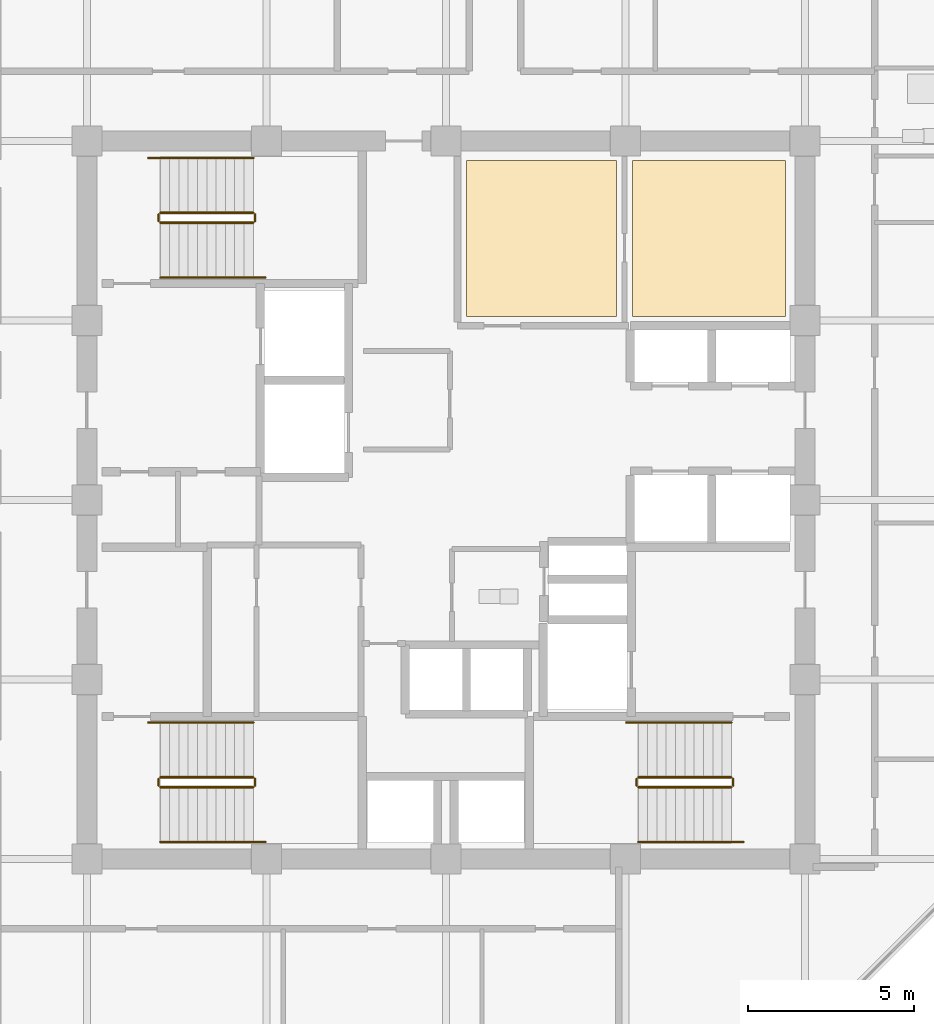
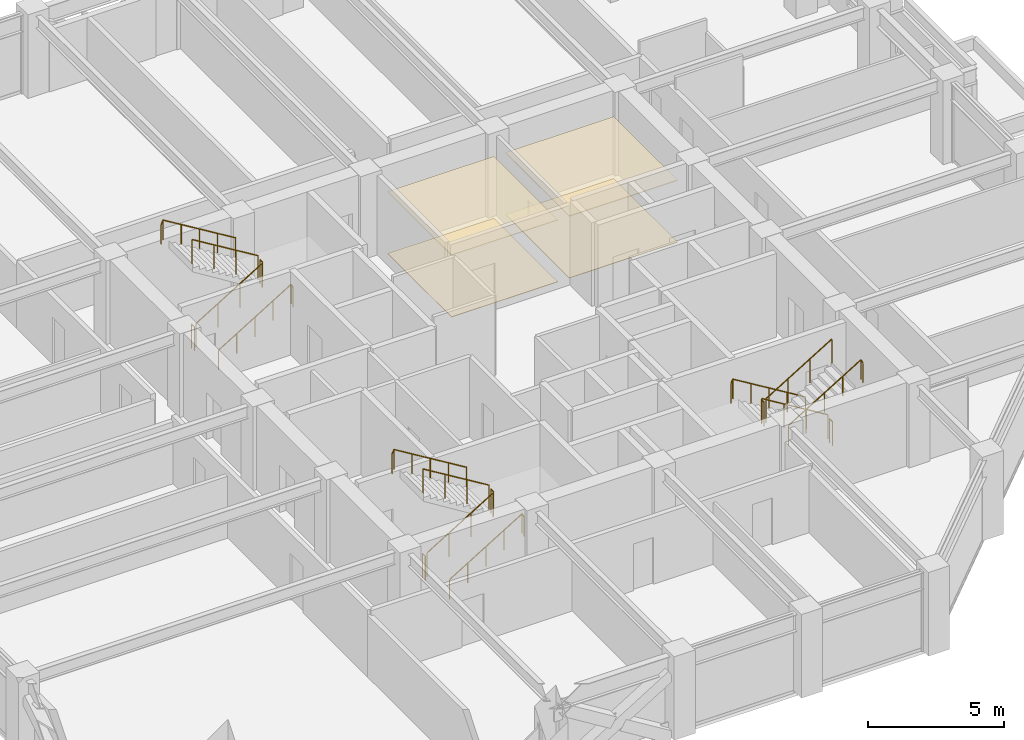
# One storey, part 26 of 28: 18 railings, 4 coverings.
"""IFC4 building model written with IfcOpenShell, lengths in metres."""

from ifc_helpers import new_model, si_unit, direction, frame, origin, origin_2d, place, context, subcontext, project, spatial, polyline, circle, outline, extrude, material, layer, layer_set, type_object, element, save


model = new_model("IFC4")

# Units and contexts
model_context = context("Model", 3, precision=1e-05, world=origin(), true_north=direction((0.0, 1.0)))
body_context = subcontext(model_context, "Body", "Model", "MODEL_VIEW")
ifc_project = project(units=[si_unit("LENGTHUNIT", "METRE"), si_unit("AREAUNIT", "SQUARE_METRE"), si_unit("VOLUMEUNIT", "CUBIC_METRE"), si_unit("PLANEANGLEUNIT", "RADIAN"), si_unit("MASSUNIT", "GRAM", prefix="KILO")], contexts=[model_context])

# Site, building, storey
site_placement = place(None, origin())
site = spatial("IfcSite", under=ifc_project, at=site_placement, CompositionType="ELEMENT")
building_placement = place(site_placement, origin())
building = spatial("IfcBuilding", under=site, at=building_placement, Name="Surkhivell Harbour Commons", CompositionType="ELEMENT")
storey_placement = place(building_placement, frame((0.0, 0.0, 182.25)))
storey = spatial("IfcBuildingStorey", under=building, at=storey_placement, Name="L47", CompositionType="ELEMENT", Elevation=182.25)

# Coverings
ifc_material_1 = material(Name="Perforated acoustic mineral-fibre ceiling tile", Category="other")
ifc_layer_1 = layer(ifc_material_1, 0.02490234375)
ifc_layer_set_1 = layer_set([ifc_layer_1], Name="Perforated acoustic mineral-fibre ceiling tile")
covering_type_1 = type_object("IfcCoveringType", Name="COV-CEIL-AC", PredefinedType="CEILING", material=ifc_layer_set_1)
covering_1_placement = place(storey_placement, frame((0.0, 0.0, 2.77490234375)))
element("IfcCovering", 1, at=covering_1_placement, inside=storey, type_object=covering_type_1, Name="L47 Suspended Acoustic Ceiling 1", PredefinedType="CEILING", context=body_context, shape_type="SweptSolid", body=[
    extrude(outline(polyline([(0.6201171875, 5.52001953125), (5.1298828125, 5.52001953125), (5.1298828125, 10.219970703125), (0.6201171875, 10.219970703125), (0.6201171875, 5.52001953125)])), origin(), (0.0, 0.0, 1.0), 0.025146484375),
])
ifc_material_2 = material(Name="Moisture-resistant gypsum acoustic ceiling board", Category="other")
ifc_layer_2 = layer(ifc_material_2, 0.030029296875)
ifc_layer_set_2 = layer_set([ifc_layer_2], Name="Moisture-resistant gypsum acoustic ceiling board")
covering_type_2 = type_object("IfcCoveringType", Name="COV-CEIL-GYP", PredefinedType="CEILING", material=ifc_layer_set_2)
covering_2_placement = place(storey_placement, frame((0.0, 0.0, 2.77001953125)))
element("IfcCovering", 2, at=covering_2_placement, inside=storey, type_object=covering_type_2, Name="L47 Suspended Acoustic Ceiling 2", PredefinedType="CEILING", context=body_context, shape_type="SweptSolid", body=[
    extrude(outline(polyline([(5.6201171875, 5.52001953125), (10.219970703125, 5.52001953125), (10.219970703125, 10.219970703125), (5.6201171875, 10.219970703125), (5.6201171875, 5.52001953125)])), origin(), (0.0, 0.0, 1.0), 0.030029296875),
])
ifc_material_3 = material(Name="Engineered acoustic oak timber flooring", Category="wood")
ifc_layer_3 = layer(ifc_material_3, 0.02001953125)
ifc_layer_set_3 = layer_set([ifc_layer_3], Name="Engineered acoustic oak timber flooring")
covering_type_3 = type_object("IfcCoveringType", Name="COV-FLR-TIM", PredefinedType="FLOORING", material=ifc_layer_set_3)
covering_3_placement = place(storey_placement, origin())
element("IfcCovering", 3, at=covering_3_placement, inside=storey, type_object=covering_type_3, Name="L47 Interior Floor Finish 1", PredefinedType="FLOORING", context=body_context, shape_type="SweptSolid", body=[
    extrude(outline(polyline([(0.6201171875, 5.52001953125), (5.1298828125, 5.52001953125), (5.1298828125, 10.219970703125), (0.6201171875, 10.219970703125), (0.6201171875, 5.52001953125)])), origin(), (0.0, 0.0, 1.0), 0.02001953125),
])
covering_4_placement = place(storey_placement, origin())
element("IfcCovering", 4, at=covering_4_placement, inside=storey, type_object=covering_type_3, Name="L47 Interior Floor Finish 2", PredefinedType="FLOORING", context=body_context, shape_type="SweptSolid", body=[
    extrude(outline(polyline([(5.6201171875, 5.52001953125), (10.219970703125, 5.52001953125), (10.219970703125, 10.219970703125), (5.6201171875, 10.219970703125), (5.6201171875, 5.52001953125)])), origin(), (0.0, 0.0, 1.0), 0.02001953125),
])

# Railings
ifc_material_4 = material(Name="Galvanised and painted steel S355 guard rail", Category="steel")
railing_type_1 = type_object("IfcRailingType", Name="RAL-ST-GRD1100", PredefinedType="GUARDRAIL", material=ifc_material_4)
railing_1_placement = place(storey_placement, frame((-8.590087890625, 8.340087890625, 0.17041015625)))
element("IfcRailing", 5, at=railing_1_placement, inside=storey, type_object=railing_type_1, Name="L47 ST1 stair guard 1", PredefinedType="GUARDRAIL", context=body_context, shape_type="SweptSolid", body=[
    extrude(circle(Radius=0.02392578125, at=origin_2d()), frame((0.0, 0.0, 1.076171875), z_axis=(0.854169791009, 0.0, 0.51999420009), x_axis=(0.0, 1.0, 0.0)), (0.0, 0.0, 1.0), 3.278076171875),
    extrude(circle(Radius=0.02099609375, at=origin_2d()), origin(), (0.0, 0.0, 1.0), 1.052001953125),
    extrude(circle(Radius=0.02099609375, at=origin_2d()), frame((0.933349609375, 0.0, 0.568115234375)), (0.0, 0.0, 1.0), 1.052001953125),
    extrude(circle(Radius=0.02099609375, at=origin_2d()), frame((1.86669921875, 0.0, 1.136474609375)), (0.0, 0.0, 1.0), 1.052001953125),
    extrude(circle(Radius=0.02099609375, at=origin_2d()), frame((2.800048828125, 0.0, 1.70458984375)), (0.0, 0.0, 1.0), 1.052001953125),
])
railing_2_placement = place(storey_placement, frame((-5.739990234375, 8.389892578125, 1.875)))
element("IfcRailing", 6, at=railing_2_placement, inside=storey, type_object=railing_type_1, Name="L47 ST1 stair guard 2", PredefinedType="GUARDRAIL", context=body_context, shape_type="SweptSolid", body=[
    extrude(circle(Radius=0.02392578125, at=origin_2d()), frame((0.0, 0.0, 1.076171875), z_axis=(0.0, 1.0, 0.0), x_axis=(-1.0, 0.0, 0.0)), (0.0, 0.0, 1.0), 0.2001953125),
    extrude(circle(Radius=0.02099609375, at=origin_2d()), origin(), (0.0, 0.0, 1.0), 1.052001953125),
    extrude(circle(Radius=0.02099609375, at=origin_2d()), frame((0.0, 0.2001953125, 0.0)), (0.0, 0.0, 1.0), 1.052001953125),
])
railing_3_placement = place(storey_placement, frame((-5.7900390625, 8.639892578125, 2.04541015625)))
element("IfcRailing", 7, at=railing_3_placement, inside=storey, type_object=railing_type_1, Name="L47 ST1 stair guard 3", PredefinedType="GUARDRAIL", context=body_context, shape_type="SweptSolid", body=[
    extrude(circle(Radius=0.02392578125, at=origin_2d()), frame((0.0, 0.0, 1.076171875), z_axis=(-0.854169791009, 0.0, 0.51999420009), x_axis=(0.0, -1.0, 0.0)), (0.0, 0.0, 1.0), 3.278076171875),
    extrude(circle(Radius=0.02099609375, at=origin_2d()), origin(), (0.0, 0.0, 1.0), 1.052001953125),
    extrude(circle(Radius=0.02099609375, at=origin_2d()), frame((-0.933349609375, 0.0, 0.568115234375)), (0.0, 0.0, 1.0), 1.052001953125),
    extrude(circle(Radius=0.02099609375, at=origin_2d()), frame((-1.86669921875, 0.0, 1.136474609375)), (0.0, 0.0, 1.0), 1.052001953125),
    extrude(circle(Radius=0.02099609375, at=origin_2d()), frame((-2.800048828125, 0.0, 1.70458984375)), (0.0, 0.0, 1.0), 1.052001953125),
])
railing_4_placement = place(storey_placement, frame((-8.639892578125, 8.389892578125, 0.0)))
element("IfcRailing", 8, at=railing_4_placement, inside=storey, type_object=railing_type_1, Name="L47 ST1 stair guard 4", PredefinedType="GUARDRAIL", context=body_context, shape_type="SweptSolid", body=[
    extrude(circle(Radius=0.02392578125, at=origin_2d()), frame((0.0, 0.0, 1.076171875), z_axis=(0.0, 1.0, 0.0), x_axis=(-1.0, 0.0, 0.0)), (0.0, 0.0, 1.0), 0.2001953125),
    extrude(circle(Radius=0.02099609375, at=origin_2d()), origin(), (0.0, 0.0, 1.0), 1.052001953125),
    extrude(circle(Radius=0.02099609375, at=origin_2d()), frame((0.0, 0.2001953125, 0.0)), (0.0, 0.0, 1.0), 1.052001953125),
])
railing_5_placement = place(storey_placement, frame((8.590087890625, -8.340087890625, 0.17041015625)))
element("IfcRailing", 9, at=railing_5_placement, inside=storey, type_object=railing_type_1, Name="L47 ST2 stair guard 1", PredefinedType="GUARDRAIL", context=body_context, shape_type="SweptSolid", body=[
    extrude(circle(Radius=0.02392578125, at=origin_2d()), frame((0.0, 0.0, 1.076171875), z_axis=(-0.854169791009, 0.0, 0.51999420009), x_axis=(0.0, -1.0, 0.0)), (0.0, 0.0, 1.0), 3.278076171875),
    extrude(circle(Radius=0.02099609375, at=origin_2d()), origin(), (0.0, 0.0, 1.0), 1.052001953125),
    extrude(circle(Radius=0.02099609375, at=origin_2d()), frame((-0.933349609375, 0.0, 0.568115234375)), (0.0, 0.0, 1.0), 1.052001953125),
    extrude(circle(Radius=0.02099609375, at=origin_2d()), frame((-1.86669921875, 0.0, 1.136474609375)), (0.0, 0.0, 1.0), 1.052001953125),
    extrude(circle(Radius=0.02099609375, at=origin_2d()), frame((-2.800048828125, 0.0, 1.70458984375)), (0.0, 0.0, 1.0), 1.052001953125),
])
railing_6_placement = place(storey_placement, frame((5.739990234375, -8.389892578125, 1.875)))
element("IfcRailing", 10, at=railing_6_placement, inside=storey, type_object=railing_type_1, Name="L47 ST2 stair guard 2", PredefinedType="GUARDRAIL", context=body_context, shape_type="SweptSolid", body=[
    extrude(circle(Radius=0.02392578125, at=origin_2d()), frame((0.0, 0.0, 1.076171875), z_axis=(0.0, -1.0, 0.0), x_axis=(1.0, 0.0, 0.0)), (0.0, 0.0, 1.0), 0.2001953125),
    extrude(circle(Radius=0.02099609375, at=origin_2d()), origin(), (0.0, 0.0, 1.0), 1.052001953125),
    extrude(circle(Radius=0.02099609375, at=origin_2d()), frame((0.0, -0.2001953125, 0.0)), (0.0, 0.0, 1.0), 1.052001953125),
])
railing_7_placement = place(storey_placement, frame((5.7900390625, -8.639892578125, 2.04541015625)))
element("IfcRailing", 11, at=railing_7_placement, inside=storey, type_object=railing_type_1, Name="L47 ST2 stair guard 3", PredefinedType="GUARDRAIL", context=body_context, shape_type="SweptSolid", body=[
    extrude(circle(Radius=0.02392578125, at=origin_2d()), frame((0.0, 0.0, 1.076171875), z_axis=(0.854169791009, 0.0, 0.51999420009), x_axis=(0.0, 1.0, 0.0)), (0.0, 0.0, 1.0), 3.278076171875),
    extrude(circle(Radius=0.02099609375, at=origin_2d()), origin(), (0.0, 0.0, 1.0), 1.052001953125),
    extrude(circle(Radius=0.02099609375, at=origin_2d()), frame((0.933349609375, 0.0, 0.568115234375)), (0.0, 0.0, 1.0), 1.052001953125),
    extrude(circle(Radius=0.02099609375, at=origin_2d()), frame((1.86669921875, 0.0, 1.136474609375)), (0.0, 0.0, 1.0), 1.052001953125),
    extrude(circle(Radius=0.02099609375, at=origin_2d()), frame((2.800048828125, 0.0, 1.70458984375)), (0.0, 0.0, 1.0), 1.052001953125),
])
railing_8_placement = place(storey_placement, frame((8.639892578125, -8.389892578125, 0.0)))
element("IfcRailing", 12, at=railing_8_placement, inside=storey, type_object=railing_type_1, Name="L47 ST2 stair guard 4", PredefinedType="GUARDRAIL", context=body_context, shape_type="SweptSolid", body=[
    extrude(circle(Radius=0.02392578125, at=origin_2d()), frame((0.0, 0.0, 1.076171875), z_axis=(0.0, -1.0, 0.0), x_axis=(1.0, 0.0, 0.0)), (0.0, 0.0, 1.0), 0.2001953125),
    extrude(circle(Radius=0.02099609375, at=origin_2d()), origin(), (0.0, 0.0, 1.0), 1.052001953125),
    extrude(circle(Radius=0.02099609375, at=origin_2d()), frame((0.0, -0.2001953125, 0.0)), (0.0, 0.0, 1.0), 1.052001953125),
])
railing_9_placement = place(storey_placement, frame((-8.590087890625, -8.639892578125, 0.17041015625)))
element("IfcRailing", 13, at=railing_9_placement, inside=storey, type_object=railing_type_1, Name="L47 ST3 stair guard 1", PredefinedType="GUARDRAIL", context=body_context, shape_type="SweptSolid", body=[
    extrude(circle(Radius=0.02392578125, at=origin_2d()), frame((0.0, 0.0, 1.076171875), z_axis=(0.854169791009, 0.0, 0.51999420009), x_axis=(0.0, 1.0, 0.0)), (0.0, 0.0, 1.0), 3.278076171875),
    extrude(circle(Radius=0.02099609375, at=origin_2d()), origin(), (0.0, 0.0, 1.0), 1.052001953125),
    extrude(circle(Radius=0.02099609375, at=origin_2d()), frame((0.933349609375, 0.0, 0.568115234375)), (0.0, 0.0, 1.0), 1.052001953125),
    extrude(circle(Radius=0.02099609375, at=origin_2d()), frame((1.86669921875, 0.0, 1.136474609375)), (0.0, 0.0, 1.0), 1.052001953125),
    extrude(circle(Radius=0.02099609375, at=origin_2d()), frame((2.800048828125, 0.0, 1.70458984375)), (0.0, 0.0, 1.0), 1.052001953125),
])
railing_10_placement = place(storey_placement, frame((-5.739990234375, -8.590087890625, 1.875)))
element("IfcRailing", 14, at=railing_10_placement, inside=storey, type_object=railing_type_1, Name="L47 ST3 stair guard 2", PredefinedType="GUARDRAIL", context=body_context, shape_type="SweptSolid", body=[
    extrude(circle(Radius=0.02392578125, at=origin_2d()), frame((0.0, 0.0, 1.076171875), z_axis=(0.0, 1.0, 0.0), x_axis=(-1.0, 0.0, 0.0)), (0.0, 0.0, 1.0), 0.2001953125),
    extrude(circle(Radius=0.02099609375, at=origin_2d()), origin(), (0.0, 0.0, 1.0), 1.052001953125),
    extrude(circle(Radius=0.02099609375, at=origin_2d()), frame((0.0, 0.2001953125, 0.0)), (0.0, 0.0, 1.0), 1.052001953125),
])
railing_11_placement = place(storey_placement, frame((-5.7900390625, -8.340087890625, 2.04541015625)))
element("IfcRailing", 15, at=railing_11_placement, inside=storey, type_object=railing_type_1, Name="L47 ST3 stair guard 3", PredefinedType="GUARDRAIL", context=body_context, shape_type="SweptSolid", body=[
    extrude(circle(Radius=0.02392578125, at=origin_2d()), frame((0.0, 0.0, 1.076171875), z_axis=(-0.854169791009, 0.0, 0.51999420009), x_axis=(0.0, -1.0, 0.0)), (0.0, 0.0, 1.0), 3.278076171875),
    extrude(circle(Radius=0.02099609375, at=origin_2d()), origin(), (0.0, 0.0, 1.0), 1.052001953125),
    extrude(circle(Radius=0.02099609375, at=origin_2d()), frame((-0.933349609375, 0.0, 0.568115234375)), (0.0, 0.0, 1.0), 1.052001953125),
    extrude(circle(Radius=0.02099609375, at=origin_2d()), frame((-1.86669921875, 0.0, 1.136474609375)), (0.0, 0.0, 1.0), 1.052001953125),
    extrude(circle(Radius=0.02099609375, at=origin_2d()), frame((-2.800048828125, 0.0, 1.70458984375)), (0.0, 0.0, 1.0), 1.052001953125),
])
railing_12_placement = place(storey_placement, frame((-8.639892578125, -8.590087890625, 0.0)))
element("IfcRailing", 16, at=railing_12_placement, inside=storey, type_object=railing_type_1, Name="L47 ST3 stair guard 4", PredefinedType="GUARDRAIL", context=body_context, shape_type="SweptSolid", body=[
    extrude(circle(Radius=0.02392578125, at=origin_2d()), frame((0.0, 0.0, 1.076171875), z_axis=(0.0, 1.0, 0.0), x_axis=(-1.0, 0.0, 0.0)), (0.0, 0.0, 1.0), 0.2001953125),
    extrude(circle(Radius=0.02099609375, at=origin_2d()), origin(), (0.0, 0.0, 1.0), 1.052001953125),
    extrude(circle(Radius=0.02099609375, at=origin_2d()), frame((0.0, 0.2001953125, 0.0)), (0.0, 0.0, 1.0), 1.052001953125),
])
ifc_material_5 = material(Name="Brushed stainless steel S355 handrail", Category="steel")
railing_type_2 = type_object("IfcRailingType", Name="RAL-ST-HND900", PredefinedType="HANDRAIL", material=ifc_material_5)
railing_13_placement = place(storey_placement, frame((-8.590087890625, 6.68994140625, 0.17041015625)))
element("IfcRailing", 17, at=railing_13_placement, inside=storey, type_object=railing_type_2, Name="L47 ST1 stair handrail 1", PredefinedType="HANDRAIL", context=body_context, shape_type="SweptSolid", body=[
    extrude(circle(Radius=0.02392578125, at=origin_2d()), frame((0.0, 0.0, 0.8759765625), z_axis=(0.854177636135, 0.0, 0.519981313056), x_axis=(0.0, 1.0, 0.0)), (0.0, 0.0, 1.0), 3.60595703125),
    extrude(circle(Radius=0.02392578125, at=origin_2d()), frame((3.080078125, 0.0, 2.7509765625), z_axis=(0.425297416671, 0.0, -0.905053648892), x_axis=(0.0, 1.0, 0.0)), (0.0, 0.0, 1.0), 0.188232421875),
    extrude(circle(Radius=0.02099609375, at=origin_2d()), origin(), (0.0, 0.0, 1.0), 0.851806640625),
    extrude(circle(Radius=0.02099609375, at=origin_2d()), frame((0.77001953125, 0.0, 0.46875)), (0.0, 0.0, 1.0), 0.851806640625),
    extrude(circle(Radius=0.02099609375, at=origin_2d()), frame((1.5400390625, 0.0, 0.9375)), (0.0, 0.0, 1.0), 0.851806640625),
    extrude(circle(Radius=0.02099609375, at=origin_2d()), frame((2.31005859375, 0.0, 1.40625)), (0.0, 0.0, 1.0), 0.851806640625),
    extrude(circle(Radius=0.02099609375, at=origin_2d()), frame((3.080078125, 0.0, 1.875)), (0.0, 0.0, 1.0), 0.851806640625),
    extrude(circle(Radius=0.02099609375, at=origin_2d()), frame((3.16015625, 0.0, 1.70458984375)), (0.0, 0.0, 1.0), 0.851806640625),
])
railing_14_placement = place(storey_placement, frame((-5.7900390625, 10.2900390625, 2.04541015625)))
element("IfcRailing", 18, at=railing_14_placement, inside=storey, type_object=railing_type_2, Name="L47 ST1 stair handrail 2", PredefinedType="HANDRAIL", context=body_context, shape_type="SweptSolid", body=[
    extrude(circle(Radius=0.02392578125, at=origin_2d()), frame((0.0, 0.0, 0.8759765625), z_axis=(-0.854177636135, 0.0, 0.519981313056), x_axis=(0.0, -1.0, 0.0)), (0.0, 0.0, 1.0), 3.60595703125),
    extrude(circle(Radius=0.02392578125, at=origin_2d()), frame((-3.080078125, 0.0, 2.7509765625), z_axis=(-0.424234432967, 0.0, -0.905552398199), x_axis=(0.0, -1.0, 0.0)), (0.0, 0.0, 1.0), 0.188232421875),
    extrude(circle(Radius=0.02099609375, at=origin_2d()), origin(), (0.0, 0.0, 1.0), 0.851806640625),
    extrude(circle(Radius=0.02099609375, at=origin_2d()), frame((-0.77001953125, 0.0, 0.46875)), (0.0, 0.0, 1.0), 0.851806640625),
    extrude(circle(Radius=0.02099609375, at=origin_2d()), frame((-1.5400390625, 0.0, 0.9375)), (0.0, 0.0, 1.0), 0.851806640625),
    extrude(circle(Radius=0.02099609375, at=origin_2d()), frame((-2.31005859375, 0.0, 1.40625)), (0.0, 0.0, 1.0), 0.851806640625),
    extrude(circle(Radius=0.02099609375, at=origin_2d()), frame((-3.080078125, 0.0, 1.875)), (0.0, 0.0, 1.0), 0.851806640625),
    extrude(circle(Radius=0.02099609375, at=origin_2d()), frame((-3.159912109375, 0.0, 1.70458984375)), (0.0, 0.0, 1.0), 0.851806640625),
])
railing_15_placement = place(storey_placement, frame((8.590087890625, -6.68994140625, 0.17041015625)))
element("IfcRailing", 19, at=railing_15_placement, inside=storey, type_object=railing_type_2, Name="L47 ST2 stair handrail 1", PredefinedType="HANDRAIL", context=body_context, shape_type="SweptSolid", body=[
    extrude(circle(Radius=0.02392578125, at=origin_2d()), frame((0.0, 0.0, 0.8759765625), z_axis=(-0.854177636135, 0.0, 0.519981313056), x_axis=(0.0, -1.0, 0.0)), (0.0, 0.0, 1.0), 3.60595703125),
    extrude(circle(Radius=0.02392578125, at=origin_2d()), frame((-3.080078125, 0.0, 2.7509765625), z_axis=(-0.425297416671, 0.0, -0.905053648892), x_axis=(0.0, -1.0, 0.0)), (0.0, 0.0, 1.0), 0.188232421875),
    extrude(circle(Radius=0.02099609375, at=origin_2d()), origin(), (0.0, 0.0, 1.0), 0.851806640625),
    extrude(circle(Radius=0.02099609375, at=origin_2d()), frame((-0.77001953125, 0.0, 0.46875)), (0.0, 0.0, 1.0), 0.851806640625),
    extrude(circle(Radius=0.02099609375, at=origin_2d()), frame((-1.5400390625, 0.0, 0.9375)), (0.0, 0.0, 1.0), 0.851806640625),
    extrude(circle(Radius=0.02099609375, at=origin_2d()), frame((-2.31005859375, 0.0, 1.40625)), (0.0, 0.0, 1.0), 0.851806640625),
    extrude(circle(Radius=0.02099609375, at=origin_2d()), frame((-3.080078125, 0.0, 1.875)), (0.0, 0.0, 1.0), 0.851806640625),
    extrude(circle(Radius=0.02099609375, at=origin_2d()), frame((-3.16015625, 0.0, 1.70458984375)), (0.0, 0.0, 1.0), 0.851806640625),
])
railing_16_placement = place(storey_placement, frame((5.7900390625, -10.2900390625, 2.04541015625)))
element("IfcRailing", 20, at=railing_16_placement, inside=storey, type_object=railing_type_2, Name="L47 ST2 stair handrail 2", PredefinedType="HANDRAIL", context=body_context, shape_type="SweptSolid", body=[
    extrude(circle(Radius=0.02392578125, at=origin_2d()), frame((0.0, 0.0, 0.8759765625), z_axis=(0.854177636135, 0.0, 0.519981313056), x_axis=(0.0, 1.0, 0.0)), (0.0, 0.0, 1.0), 3.60595703125),
    extrude(circle(Radius=0.02392578125, at=origin_2d()), frame((3.080078125, 0.0, 2.7509765625), z_axis=(0.424234432967, 0.0, -0.905552398199), x_axis=(0.0, 1.0, 0.0)), (0.0, 0.0, 1.0), 0.188232421875),
    extrude(circle(Radius=0.02099609375, at=origin_2d()), origin(), (0.0, 0.0, 1.0), 0.851806640625),
    extrude(circle(Radius=0.02099609375, at=origin_2d()), frame((0.77001953125, 0.0, 0.46875)), (0.0, 0.0, 1.0), 0.851806640625),
    extrude(circle(Radius=0.02099609375, at=origin_2d()), frame((1.5400390625, 0.0, 0.9375)), (0.0, 0.0, 1.0), 0.851806640625),
    extrude(circle(Radius=0.02099609375, at=origin_2d()), frame((2.31005859375, 0.0, 1.40625)), (0.0, 0.0, 1.0), 0.851806640625),
    extrude(circle(Radius=0.02099609375, at=origin_2d()), frame((3.080078125, 0.0, 1.875)), (0.0, 0.0, 1.0), 0.851806640625),
    extrude(circle(Radius=0.02099609375, at=origin_2d()), frame((3.159912109375, 0.0, 1.70458984375)), (0.0, 0.0, 1.0), 0.851806640625),
])
railing_17_placement = place(storey_placement, frame((-8.590087890625, -10.2900390625, 0.17041015625)))
element("IfcRailing", 21, at=railing_17_placement, inside=storey, type_object=railing_type_2, Name="L47 ST3 stair handrail 1", PredefinedType="HANDRAIL", context=body_context, shape_type="SweptSolid", body=[
    extrude(circle(Radius=0.02392578125, at=origin_2d()), frame((0.0, 0.0, 0.8759765625), z_axis=(0.854177636135, 0.0, 0.519981313056), x_axis=(0.0, 1.0, 0.0)), (0.0, 0.0, 1.0), 3.60595703125),
    extrude(circle(Radius=0.02392578125, at=origin_2d()), frame((3.080078125, 0.0, 2.7509765625), z_axis=(0.425297416671, 0.0, -0.905053648892), x_axis=(0.0, 1.0, 0.0)), (0.0, 0.0, 1.0), 0.188232421875),
    extrude(circle(Radius=0.02099609375, at=origin_2d()), origin(), (0.0, 0.0, 1.0), 0.851806640625),
    extrude(circle(Radius=0.02099609375, at=origin_2d()), frame((0.77001953125, 0.0, 0.46875)), (0.0, 0.0, 1.0), 0.851806640625),
    extrude(circle(Radius=0.02099609375, at=origin_2d()), frame((1.5400390625, 0.0, 0.9375)), (0.0, 0.0, 1.0), 0.851806640625),
    extrude(circle(Radius=0.02099609375, at=origin_2d()), frame((2.31005859375, 0.0, 1.40625)), (0.0, 0.0, 1.0), 0.851806640625),
    extrude(circle(Radius=0.02099609375, at=origin_2d()), frame((3.080078125, 0.0, 1.875)), (0.0, 0.0, 1.0), 0.851806640625),
    extrude(circle(Radius=0.02099609375, at=origin_2d()), frame((3.16015625, 0.0, 1.70458984375)), (0.0, 0.0, 1.0), 0.851806640625),
])
railing_18_placement = place(storey_placement, frame((-5.7900390625, -6.68994140625, 2.04541015625)))
element("IfcRailing", 22, at=railing_18_placement, inside=storey, type_object=railing_type_2, Name="L47 ST3 stair handrail 2", PredefinedType="HANDRAIL", context=body_context, shape_type="SweptSolid", body=[
    extrude(circle(Radius=0.02392578125, at=origin_2d()), frame((0.0, 0.0, 0.8759765625), z_axis=(-0.854177636135, 0.0, 0.519981313056), x_axis=(0.0, -1.0, 0.0)), (0.0, 0.0, 1.0), 3.60595703125),
    extrude(circle(Radius=0.02392578125, at=origin_2d()), frame((-3.080078125, 0.0, 2.7509765625), z_axis=(-0.424234432967, 0.0, -0.905552398199), x_axis=(0.0, -1.0, 0.0)), (0.0, 0.0, 1.0), 0.188232421875),
    extrude(circle(Radius=0.02099609375, at=origin_2d()), origin(), (0.0, 0.0, 1.0), 0.851806640625),
    extrude(circle(Radius=0.02099609375, at=origin_2d()), frame((-0.77001953125, 0.0, 0.46875)), (0.0, 0.0, 1.0), 0.851806640625),
    extrude(circle(Radius=0.02099609375, at=origin_2d()), frame((-1.5400390625, 0.0, 0.9375)), (0.0, 0.0, 1.0), 0.851806640625),
    extrude(circle(Radius=0.02099609375, at=origin_2d()), frame((-2.31005859375, 0.0, 1.40625)), (0.0, 0.0, 1.0), 0.851806640625),
    extrude(circle(Radius=0.02099609375, at=origin_2d()), frame((-3.080078125, 0.0, 1.875)), (0.0, 0.0, 1.0), 0.851806640625),
    extrude(circle(Radius=0.02099609375, at=origin_2d()), frame((-3.159912109375, 0.0, 1.70458984375)), (0.0, 0.0, 1.0), 0.851806640625),
])

save(model, "model.ifc")
